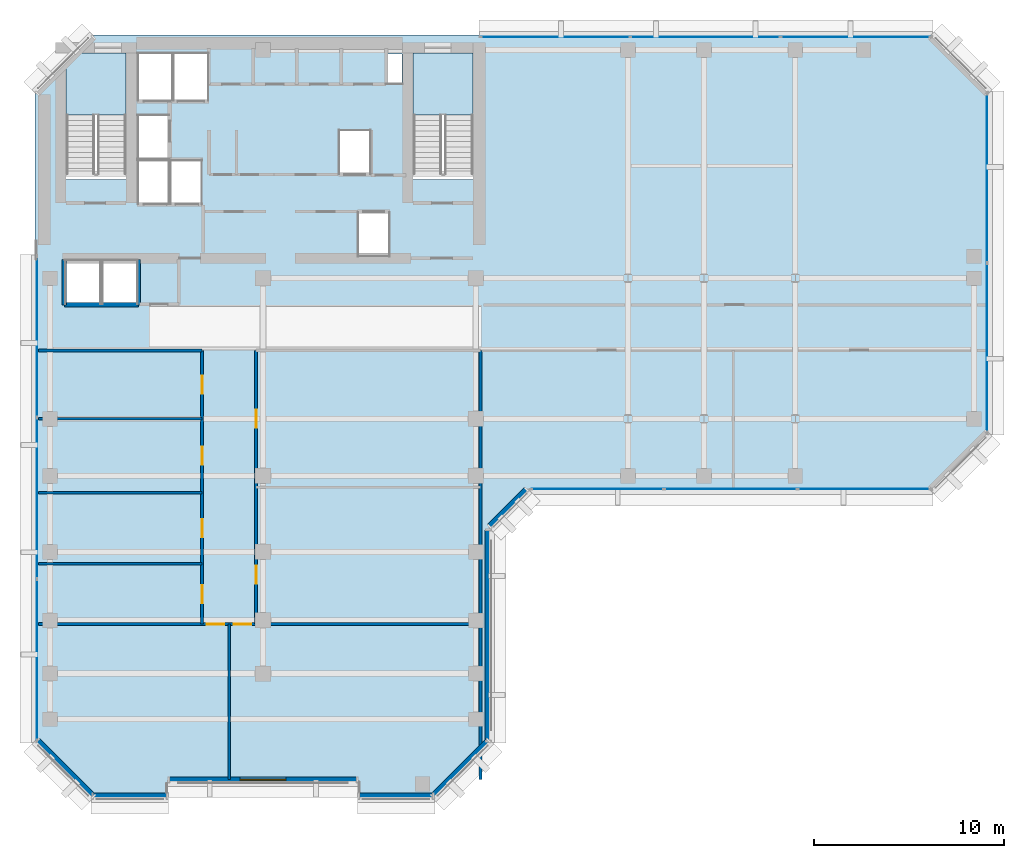
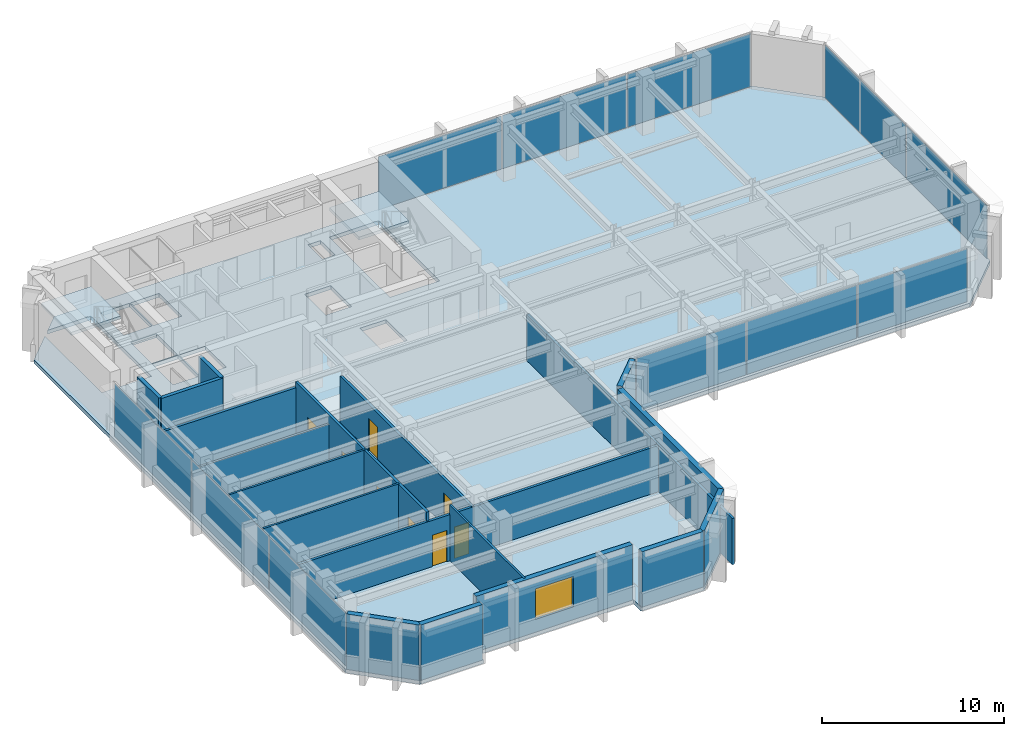
# One storey, part 6 of 12: 19 walls, 11 plates, 8 doors, 3 slabs, 1 window, 9 openings, 6 elements without a shape of their own.
"""IFC4 building model written with IfcOpenShell, lengths in metres."""

from ifc_helpers import new_model, si_unit, direction, frame, frame_2d, origin, origin_2d, place, context, subcontext, project, spatial, polyline, rectangle, outline, extrude, material, layer, layer_set, type_object, element, fill, aggregate, save


model = new_model("IFC4")

# Units and contexts
model_context = context("Model", 3, precision=1e-05, world=origin(), true_north=direction((0.0, 1.0)))
body_context = subcontext(model_context, "Body", "Model", "MODEL_VIEW")
ifc_project = project(units=[si_unit("LENGTHUNIT", "METRE"), si_unit("AREAUNIT", "SQUARE_METRE"), si_unit("VOLUMEUNIT", "CUBIC_METRE"), si_unit("PLANEANGLEUNIT", "RADIAN"), si_unit("MASSUNIT", "GRAM", prefix="KILO")], contexts=[model_context])

# Site, building, storey
site_placement = place(None, origin())
site = spatial("IfcSite", under=ifc_project, at=site_placement, CompositionType="ELEMENT")
building_placement = place(site_placement, origin())
building = spatial("IfcBuilding", under=site, at=building_placement, Name="Kefirva Bronze Tower", CompositionType="ELEMENT")
storey_placement = place(building_placement, frame((0.0, 0.0, 264.330078125)))
storey = spatial("IfcBuildingStorey", under=building, at=storey_placement, Name="L64", CompositionType="ELEMENT", Elevation=264.330078125)

# Stair, slab
ifc_material_1 = material(Name="Concrete C40/50", Category="concrete")
stair_type = type_object("IfcStairType", Name="RC Dogleg Protected Stair 24R", PredefinedType="HALF_TURN_STAIR", material=ifc_material_1)
stair_1_placement = place(storey_placement, origin())
stair_1 = element("IfcStair", 1, at=stair_1_placement, inside=storey, type_object=stair_type, Name="L64 Protected Exit Stair 1", PredefinedType="HALF_TURN_STAIR")
ifc_layer_1 = layer(ifc_material_1, 0.199951171875, Name="Concrete C40/50")
ifc_layer_set_1 = layer_set([ifc_layer_1], Name="Concrete C40/50")
slab_type_1 = type_object("IfcSlabType", Name="RC Stair Landing Slab 200mm", PredefinedType="LANDING", material=ifc_layer_set_1)
slab_1_placement = place(storey_placement, frame((0.0, 0.0, 1.780029296875)))
slab_1 = element("IfcSlab", 2, at=slab_1_placement, type_object=slab_type_1, Name="ST-1 landing 1", PredefinedType="LANDING", context=body_context, shape_type="SweptSolid", body=[
    extrude(outline(polyline([(4.800048828125, 41.780029296875), (4.800048828125, 45.050048828125), (1.64990234375, 45.050048828125), (1.64990234375, 41.780029296875), (4.800048828125, 41.780029296875)])), origin(), (0.0, 0.0, 1.0), 0.199951171875),
])
aggregate(stair_1, [slab_1])

stair_2_placement = place(storey_placement, origin())
stair_2 = element("IfcStair", 3, at=stair_2_placement, inside=storey, type_object=stair_type, Name="L64 Protected Exit Stair 2", PredefinedType="HALF_TURN_STAIR")
slab_2_placement = place(storey_placement, frame((0.0, 0.0, 1.780029296875)))
slab_2 = element("IfcSlab", 4, at=slab_2_placement, type_object=slab_type_1, Name="ST-2 landing 1", PredefinedType="LANDING", context=body_context, shape_type="SweptSolid", body=[
    extrude(outline(polyline([(23.050048828125, 41.780029296875), (23.050048828125, 45.050048828125), (19.89990234375, 45.050048828125), (19.89990234375, 41.780029296875), (23.050048828125, 41.780029296875)])), origin(), (0.0, 0.0, 1.0), 0.199951171875),
])
aggregate(stair_2, [slab_2])

# Slab
ifc_layer_2 = layer(ifc_material_1, 0.25, Name="Concrete C40/50")
ifc_layer_set_2 = layer_set([ifc_layer_2], Name="Concrete C40/50")
slab_type_2 = type_object("IfcSlabType", Name="RC Tower Floor Slab 250mm", PredefinedType="FLOOR", material=ifc_layer_set_2)
slab_3_placement = place(storey_placement, frame((0.0, 0.0, -0.25)))
element("IfcSlab", 5, at=slab_3_placement, inside=storey, type_object=slab_type_2, Name="L64 Structural Floor Slab", PredefinedType="FLOOR", context=body_context, shape_type="SweptSolid", body=[
    extrude(outline(polyline([(0.0, 8.800048828125), (0.0, 43.0), (1.64990234375, 44.64990234375), (1.64990234375, 38.39990234375), (4.800048828125, 38.39990234375), (4.800048828125, 45.050048828125), (2.050048828125, 45.050048828125), (3.0, 46.0), (47.199951171875, 46.0), (50.199951171875, 43.0), (50.199951171875, 25.0), (47.199951171875, 22.0), (26.0, 22.0), (24.0, 20.0), (24.0, 8.800048828125), (21.0, 5.800048828125), (17.0, 5.800048828125), (17.0, 6.64990234375), (7.0, 6.64990234375), (7.0, 5.800048828125), (3.0, 5.800048828125), (0.0, 8.800048828125)]), holes=[polyline([(23.050048828125, 45.050048828125), (19.89990234375, 45.050048828125), (19.89990234375, 38.39990234375), (23.050048828125, 38.39990234375), (23.050048828125, 45.050048828125)]), polyline([(19.320068359375, 43.419921875), (19.320068359375, 45.0), (18.52001953125, 45.0), (18.52001953125, 43.419921875), (19.320068359375, 43.419921875)]), polyline([(18.64990234375, 36.64990234375), (17.0, 36.64990234375), (17.0, 34.35009765625), (18.64990234375, 34.35009765625), (18.64990234375, 36.64990234375)]), polyline([(17.64990234375, 38.679931640625), (17.64990234375, 40.97998046875), (16.0, 40.97998046875), (16.0, 38.679931640625), (17.64990234375, 38.679931640625)]), polyline([(9.1201171875, 42.550048828125), (9.1201171875, 45.050048828125), (7.300048828125, 45.050048828125), (7.300048828125, 42.550048828125), (9.1201171875, 42.550048828125)]), polyline([(8.780029296875, 37.10009765625), (8.780029296875, 39.39990234375), (7.139892578125, 39.39990234375), (7.139892578125, 37.10009765625), (8.780029296875, 37.10009765625)]), polyline([(7.239990234375, 42.550048828125), (7.239990234375, 45.050048828125), (5.419921875, 45.050048828125), (5.419921875, 42.550048828125), (7.239990234375, 42.550048828125)]), polyline([(7.06005859375, 37.10009765625), (7.06005859375, 39.39990234375), (5.419921875, 39.39990234375), (5.419921875, 37.10009765625), (7.06005859375, 37.10009765625)]), polyline([(7.06005859375, 41.780029296875), (5.419921875, 41.780029296875), (5.419921875, 39.47998046875), (7.06005859375, 39.47998046875), (7.06005859375, 41.780029296875)]), polyline([(5.39990234375, 31.85009765625), (5.39990234375, 34.14990234375), (3.550048828125, 34.14990234375), (3.550048828125, 31.85009765625), (5.39990234375, 31.85009765625)]), polyline([(3.449951171875, 34.14990234375), (1.60009765625, 34.14990234375), (1.60009765625, 31.85009765625), (3.449951171875, 31.85009765625), (3.449951171875, 34.14990234375)])]), origin(), (0.0, 0.0, 1.0), 0.25),
])

# Curtain wall, plates
ifc_material_2 = material(Name="Bronze anodised aluminium", Category="aluminium")
ifc_layer_3 = layer(ifc_material_2, 0.179931640625, Name="Bronze anodised aluminium")
ifc_layer_set_3 = layer_set([ifc_layer_3], Name="Bronze anodised aluminium")
curtain_wall_type = type_object("IfcCurtainWallType", Name="Unitised Bronze Ribbon Curtain Wall Zone 3", PredefinedType="USERDEFINED", material=ifc_layer_set_3)
curtain_wall_1_placement = place(storey_placement, origin())
curtain_wall_1 = element("IfcCurtainWall", 6, at=curtain_wall_1_placement, inside=storey, type_object=curtain_wall_type, Name="L64 Curtain Wall 1", ObjectType="UNITISED CURTAIN WALL", PredefinedType="USERDEFINED")
ifc_material_3 = material(Name="Laminated low-E double glazing", Category="glass")
ifc_layer_4 = layer(ifc_material_3, 0.031982421875, Name="Laminated low-E double glazing")
ifc_layer_set_4 = layer_set([ifc_layer_4], Name="Laminated low-E double glazing")
plate_type = type_object("IfcPlateType", Name="Solar-Control Low-E Vision Panel 32mm", PredefinedType="CURTAIN_PANEL", material=ifc_layer_set_4)
plate_1_placement = place(storey_placement, frame((29.5888671875, 22.1201171875, 0.074951171875), z_axis=(0.0, 0.0, 1.0), x_axis=(1.0, 0.0, 0.0)))
plate_1 = element("IfcPlate", 7, at=plate_1_placement, type_object=plate_type, Name="CW-03 panel 1.1", PredefinedType="CURTAIN_PANEL", context=body_context, shape_type="SweptSolid", body=[
    extrude(rectangle(XDim=6.91748046875, YDim=0.031982421875, at=origin_2d()), origin(), (0.0, 0.0, 1.0), 3.56005859375),
])
plate_2_placement = place(storey_placement, frame((36.60009765625, 22.1201171875, 0.074951171875), z_axis=(0.0, 0.0, 1.0), x_axis=(1.0, 0.0, 0.0)))
plate_2 = element("IfcPlate", 8, at=plate_2_placement, type_object=plate_type, Name="CW-03 panel 2.1", PredefinedType="CURTAIN_PANEL", context=body_context, shape_type="SweptSolid", body=[
    extrude(rectangle(XDim=6.955078125, YDim=0.031982421875, at=origin_2d()), origin(), (0.0, 0.0, 1.0), 3.56005859375),
])
plate_3_placement = place(storey_placement, frame((43.611328125, 22.1201171875, 0.074951171875), z_axis=(0.0, 0.0, 1.0), x_axis=(1.0, 0.0, 0.0)))
plate_3 = element("IfcPlate", 9, at=plate_3_placement, type_object=plate_type, Name="CW-03 panel 3.1", PredefinedType="CURTAIN_PANEL", context=body_context, shape_type="SweptSolid", body=[
    extrude(rectangle(XDim=6.91748046875, YDim=0.031982421875, at=origin_2d()), origin(), (0.0, 0.0, 1.0), 3.56005859375),
])
aggregate(curtain_wall_1, [plate_1, plate_2, plate_3])

curtain_wall_2_placement = place(storey_placement, origin())
curtain_wall_2 = element("IfcCurtainWall", 10, at=curtain_wall_2_placement, inside=storey, type_object=curtain_wall_type, Name="L64 Curtain Wall 2", ObjectType="UNITISED CURTAIN WALL", PredefinedType="USERDEFINED")
plate_4_placement = place(storey_placement, frame((50.080078125, 29.546142578125, 0.074951171875), z_axis=(0.0, 0.0, 1.0), x_axis=(0.0, 1.0, 0.0)))
plate_4 = element("IfcPlate", 11, at=plate_4_placement, type_object=plate_type, Name="CW-03 panel 1.1", PredefinedType="CURTAIN_PANEL", context=body_context, shape_type="SweptSolid", body=[
    extrude(rectangle(XDim=8.83251953125, YDim=0.031982421875, at=origin_2d()), origin(), (0.0, 0.0, 1.0), 3.56005859375),
])
plate_5_placement = place(storey_placement, frame((50.080078125, 38.453857421875, 0.074951171875), z_axis=(0.0, 0.0, 1.0), x_axis=(0.0, 1.0, 0.0)))
plate_5 = element("IfcPlate", 12, at=plate_5_placement, type_object=plate_type, Name="CW-03 panel 2.1", PredefinedType="CURTAIN_PANEL", context=body_context, shape_type="SweptSolid", body=[
    extrude(rectangle(XDim=8.83251953125, YDim=0.031982421875, at=origin_2d()), origin(), (0.0, 0.0, 1.0), 3.56005859375),
])
aggregate(curtain_wall_2, [plate_4, plate_5])

curtain_wall_3_placement = place(storey_placement, origin())
curtain_wall_3 = element("IfcCurtainWall", 13, at=curtain_wall_3_placement, inside=storey, type_object=curtain_wall_type, Name="L64 Curtain Wall 3", ObjectType="UNITISED CURTAIN WALL", PredefinedType="USERDEFINED")
plate_6_placement = place(storey_placement, frame((43.169677734375, 45.8798828125, 0.074951171875), z_axis=(0.0, 0.0, 1.0), x_axis=(-1.0, 0.0, 0.0)))
plate_6 = element("IfcPlate", 14, at=plate_6_placement, type_object=plate_type, Name="CW-03 panel 1.1", PredefinedType="CURTAIN_PANEL", context=body_context, shape_type="SweptSolid", body=[
    extrude(rectangle(XDim=7.80078125, YDim=0.031982421875, at=origin_2d()), origin(), (0.0, 0.0, 1.0), 3.56005859375),
])
plate_7_placement = place(storey_placement, frame((35.27490234375, 45.8798828125, 0.074951171875), z_axis=(0.0, 0.0, 1.0), x_axis=(-1.0, 0.0, 0.0)))
plate_7 = element("IfcPlate", 15, at=plate_7_placement, type_object=plate_type, Name="CW-03 panel 2.1", PredefinedType="CURTAIN_PANEL", context=body_context, shape_type="SweptSolid", body=[
    extrude(rectangle(XDim=7.83837890625, YDim=0.031982421875, at=origin_2d()), origin(), (0.0, 0.0, 1.0), 3.56005859375),
])
plate_8_placement = place(storey_placement, frame((27.38037109375, 45.8798828125, 0.074951171875), z_axis=(0.0, 0.0, 1.0), x_axis=(-1.0, 0.0, 0.0)))
plate_8 = element("IfcPlate", 16, at=plate_8_placement, type_object=plate_type, Name="CW-03 panel 3.1", PredefinedType="CURTAIN_PANEL", context=body_context, shape_type="SweptSolid", body=[
    extrude(rectangle(XDim=7.80078125, YDim=0.031982421875, at=origin_2d()), origin(), (0.0, 0.0, 1.0), 3.56005859375),
])
aggregate(curtain_wall_3, [plate_6, plate_7, plate_8])

curtain_wall_4_placement = place(storey_placement, origin())
curtain_wall_4 = element("IfcCurtainWall", 17, at=curtain_wall_4_placement, inside=storey, type_object=curtain_wall_type, Name="L64 Curtain Wall 4", ObjectType="UNITISED CURTAIN WALL", PredefinedType="USERDEFINED")
plate_9_placement = place(storey_placement, frame((0.1201171875, 30.11962890625, 0.074951171875), z_axis=(0.0, 0.0, 1.0), x_axis=(0.0, -1.0, 0.0)))
plate_9 = element("IfcPlate", 18, at=plate_9_placement, type_object=plate_type, Name="CW-03 panel 1.1", PredefinedType="CURTAIN_PANEL", context=body_context, shape_type="SweptSolid", body=[
    extrude(rectangle(XDim=8.40087890625, YDim=0.031982421875, at=origin_2d()), origin(), (0.0, 0.0, 1.0), 3.56005859375),
])
plate_10_placement = place(storey_placement, frame((0.1201171875, 21.625, 0.074951171875), z_axis=(0.0, 0.0, 1.0), x_axis=(0.0, -1.0, 0.0)))
plate_10 = element("IfcPlate", 19, at=plate_10_placement, type_object=plate_type, Name="CW-03 panel 2.1", PredefinedType="CURTAIN_PANEL", context=body_context, shape_type="SweptSolid", body=[
    extrude(rectangle(XDim=8.438232421875, YDim=0.031982421875, at=origin_2d()), origin(), (0.0, 0.0, 1.0), 3.56005859375),
])
plate_11_placement = place(storey_placement, frame((0.1201171875, 13.13037109375, 0.074951171875), z_axis=(0.0, 0.0, 1.0), x_axis=(0.0, -1.0, 0.0)))
plate_11 = element("IfcPlate", 20, at=plate_11_placement, type_object=plate_type, Name="CW-03 panel 3.1", PredefinedType="CURTAIN_PANEL", context=body_context, shape_type="SweptSolid", body=[
    extrude(rectangle(XDim=8.40087890625, YDim=0.031982421875, at=origin_2d()), origin(), (0.0, 0.0, 1.0), 3.56005859375),
])
aggregate(curtain_wall_4, [plate_9, plate_10, plate_11])

# Walls
ifc_material_4 = material(Name="Gypsum acoustic partition")
ifc_layer_5 = layer(ifc_material_4, 0.1298828125, Name="Gypsum acoustic partition")
ifc_layer_set_5 = layer_set([ifc_layer_5], Name="Gypsum acoustic partition")
wall_type_1 = type_object("IfcWallType", Name="Acoustic Office Partition 130mm", PredefinedType="PARTITIONING", material=ifc_layer_set_5)
wall_1_placement = place(storey_placement, frame((10.219970703125, 6.840087890625, 0.0), z_axis=(0.0, 0.0, 1.0), x_axis=(0.0, 1.0, 0.0)))
element("IfcWall", 21, at=wall_1_placement, inside=storey, type_object=wall_type_1, Name="L64 Partition W-L64-CAPDV", PredefinedType="PARTITIONING", context=body_context, shape_type="SweptSolid", body=[
    extrude(rectangle(XDim=8.159912109375, YDim=0.1298828125, at=frame_2d((4.080078125, 0.0))), origin(), (0.0, 0.0, 1.0), 3.7099609375),
])
for number, where, z_axis, x_axis, name in (
    (22, (0.18994140625, 18.16796875, 0.0), (0.0, 0.0, 1.0), (1.0, 0.0, 0.0), "L64 Partition W-L64-SWD1"),
    (23, (0.18994140625, 21.912109375, 0.0), (0.0, 0.0, 1.0), (1.0, 0.0, 0.0), "L64 Partition W-L64-SWD2"),
):
    element("IfcWall", number, at=place(storey_placement, frame(where, z_axis=z_axis, x_axis=x_axis)), inside=storey, type_object=wall_type_1, Name=name, PredefinedType="PARTITIONING", context=body_context, shape_type="SweptSolid", body=[
        extrude(rectangle(XDim=8.610107421875, YDim=0.1298828125, at=frame_2d((4.30517578125, 0.0))), origin(), (0.0, 0.0, 1.0), 3.7099609375),
    ])
wall_2_placement = place(storey_placement, frame((0.18994140625, 25.800048828125, 0.0), z_axis=(0.0, 0.0, 1.0), x_axis=(1.0, 0.0, 0.0)))
element("IfcWall", 24, at=wall_2_placement, inside=storey, type_object=wall_type_1, Name="L64 Partition W-L64-SWD3", PredefinedType="PARTITIONING", context=body_context, shape_type="SweptSolid", body=[
    extrude(rectangle(XDim=8.610107421875, YDim=0.1298828125, at=frame_2d((4.30517578125, 0.0))), origin(), (0.0, 0.0, 1.0), 3.094970703125),
])
ifc_material_5 = material(Name="Gypsum fireboard shaftwall")
ifc_layer_6 = layer(ifc_material_5, 0.219970703125, Name="Gypsum fireboard shaftwall")
ifc_layer_set_6 = layer_set([ifc_layer_6], Name="Gypsum fireboard shaftwall")
wall_type_2 = type_object("IfcWallType", Name="Fire-Rated Shaft Enclosure Wall 220mm", PredefinedType="PARTITIONING", material=ifc_layer_set_6)
wall_3_placement = place(storey_placement, frame((1.550048828125, 31.800048828125, 0.0), z_axis=(0.0, 0.0, 1.0), x_axis=(1.0, 0.0, 0.0)))
element("IfcWall", 25, at=wall_3_placement, inside=storey, type_object=wall_type_2, Name="L64 Partition W-L64-OBS", PredefinedType="PARTITIONING", context=body_context, shape_type="SweptSolid", body=[
    extrude(rectangle(XDim=3.89990234375, YDim=0.219970703125, at=frame_2d((1.949951171875, 0.0))), origin(), (0.0, 0.0, 1.0), 3.7099609375),
])
for number, where, z_axis, x_axis, name in (
    (26, (1.550048828125, 31.800048828125, 0.0), (0.0, 0.0, 1.0), (0.0, 1.0, 0.0), "L64 Partition W-L64-OBW"),
    (27, (5.449951171875, 31.800048828125, 0.0), (0.0, 0.0, 1.0), (0.0, 1.0, 0.0), "L64 Partition W-L64-OBE"),
):
    element("IfcWall", number, at=place(storey_placement, frame(where, z_axis=z_axis, x_axis=x_axis)), inside=storey, type_object=wall_type_2, Name=name, PredefinedType="PARTITIONING", context=body_context, shape_type="SweptSolid", body=[
        extrude(rectangle(XDim=2.3798828125, YDim=0.219970703125, at=frame_2d((1.18994140625, 0.0))), origin(), (0.0, 0.0, 1.0), 3.7099609375),
    ])
ifc_material_6 = material(Name="Precast concrete C40/50", Category="concrete")
ifc_layer_7 = layer(ifc_material_6, 0.320068359375, Name="Precast concrete C40/50")
ifc_layer_set_7 = layer_set([ifc_layer_7], Name="Precast concrete C40/50")
wall_type_3 = type_object("IfcWallType", Name="Precast Insulated Exterior Wall 320mm", PredefinedType="SOLIDWALL", material=ifc_layer_set_7)
wall_4_placement = place(storey_placement, frame((3.054931640625, 5.9599609375, 0.0), z_axis=(0.0, 0.0, 1.0), x_axis=(1.0, 0.0, 0.0)))
element("IfcWall", 28, at=wall_4_placement, inside=storey, type_object=wall_type_3, Name="L64 Exterior Facade Wall 1", PredefinedType="SOLIDWALL", context=body_context, shape_type="SweptSolid", body=[
    extrude(rectangle(XDim=3.89013671875, YDim=0.320068359375, at=frame_2d((1.945068359375, 0.0))), origin(), (0.0, 0.0, 1.0), 3.7099609375),
])

# Wall, opening, window
wall_5_placement = place(storey_placement, frame((7.054931640625, 6.81005859375, 0.0), z_axis=(0.0, 0.0, 1.0), x_axis=(1.0, 0.0, 0.0)))
wall_5 = element("IfcWall", 29, at=wall_5_placement, inside=storey, type_object=wall_type_3, Name="L64 Exterior Facade Wall 2", PredefinedType="SOLIDWALL", context=body_context, shape_type="SweptSolid", body=[
    extrude(rectangle(XDim=9.89013671875, YDim=0.320068359375, at=frame_2d((4.945068359375, 0.0))), origin(), (0.0, 0.0, 1.0), 3.7099609375),
])
opening_1_placement = place(wall_5_placement, frame((3.7451171875, 0.0, 0.85009765625)))
opening_1 = element("IfcOpeningElement", 30, at=opening_1_placement, cuts=wall_5, Name="Opening WN-01", PredefinedType="OPENING", context=body_context, shape_type="SweptSolid", body=[
    extrude(rectangle(XDim=2.39990234375, YDim=2.050048828125, at=frame_2d((1.199951171875, 1.02490234375))), frame((0.0, 0.169921875, 0.0), z_axis=(0.0, -1.0, 0.0), x_axis=(1.0, 0.0, 0.0)), (0.0, 0.0, 1.0), 0.340087890625),
])
window_type = type_object("IfcWindowType", Name="Streamline Ribbon Window 2400x2050", PartitioningType="SINGLE_PANEL", PredefinedType="WINDOW", material=ifc_material_3)
window_placement = place(opening_1_placement, origin())
window = element("IfcWindow", 31, at=window_placement, inside=storey, type_object=window_type, Name="L64 Ribbon Window 2", OverallHeight=2.050048828125, OverallWidth=2.39990234375, PartitioningType="SINGLE_PANEL", PredefinedType="WINDOW", context=body_context, shape_type="SweptSolid", body=[
    extrude(rectangle(XDim=2.39990234375, YDim=2.050048828125, at=frame_2d((1.199951171875, 1.02490234375))), frame((0.0, 0.030029296875, 0.0), z_axis=(0.0, -1.0, 0.0), x_axis=(1.0, 0.0, 0.0)), (0.0, 0.0, 1.0), 0.06005859375),
])
fill(opening_1, window)

# Walls
wall_6_placement = place(storey_placement, frame((17.054931640625, 5.9599609375, 0.0), z_axis=(0.0, 0.0, 1.0), x_axis=(1.0, 0.0, 0.0)))
element("IfcWall", 32, at=wall_6_placement, inside=storey, type_object=wall_type_3, Name="L64 Exterior Facade Wall 3", PredefinedType="SOLIDWALL", context=body_context, shape_type="SweptSolid", body=[
    extrude(rectangle(XDim=3.89013671875, YDim=0.320068359375, at=frame_2d((1.945068359375, 0.0))), origin(), (0.0, 0.0, 1.0), 3.7099609375),
])
wall_7_placement = place(storey_placement, frame((20.92578125, 5.951904296875, 0.0), z_axis=(0.0, 0.0, 1.0), x_axis=(0.707077242712, 0.707136318428, 0.0)))
element("IfcWall", 33, at=wall_7_placement, inside=storey, type_object=wall_type_3, Name="L64 Exterior Facade Wall 4", PredefinedType="SOLIDWALL", context=body_context, shape_type="SweptSolid", body=[
    extrude(rectangle(XDim=4.132568359375, YDim=0.320068359375, at=frame_2d((2.06640625, 0.0))), origin(), (0.0, 0.0, 1.0), 3.7099609375),
])
wall_8_placement = place(storey_placement, frame((23.840087890625, 8.85498046875, 0.0), z_axis=(0.0, 0.0, 1.0), x_axis=(0.0, 1.0, 0.0)))
element("IfcWall", 34, at=wall_8_placement, inside=storey, type_object=wall_type_3, Name="L64 Exterior Facade Wall 5", PredefinedType="SOLIDWALL", context=body_context, shape_type="SweptSolid", body=[
    extrude(rectangle(XDim=11.090087890625, YDim=0.320068359375, at=frame_2d((5.544921875, 0.0))), origin(), (0.0, 0.0, 1.0), 3.7099609375),
])
wall_9_placement = place(storey_placement, frame((23.92578125, 20.152099609375, 0.0), z_axis=(0.0, 0.0, 1.0), x_axis=(0.707106781187, 0.707106781187, 0.0)))
element("IfcWall", 35, at=wall_9_placement, inside=storey, type_object=wall_type_3, Name="L64 Exterior Facade Wall 6", PredefinedType="SOLIDWALL", context=body_context, shape_type="SweptSolid", body=[
    extrude(rectangle(XDim=2.71826171875, YDim=0.320068359375, at=frame_2d((1.359130859375, 0.0))), origin(), (0.0, 0.0, 1.0), 3.7099609375),
])
wall_10_placement = place(storey_placement, frame((0.152099609375, 8.874267578125, 0.0), z_axis=(0.0, 0.0, 1.0), x_axis=(0.707077242712, -0.707136318428, 0.0)))
element("IfcWall", 36, at=wall_10_placement, inside=storey, type_object=wall_type_3, Name="L64 Exterior Facade Wall 10", PredefinedType="SOLIDWALL", context=body_context, shape_type="SweptSolid", body=[
    extrude(rectangle(XDim=4.132568359375, YDim=0.320068359375, at=frame_2d((2.06640625, 0.0))), origin(), (0.0, 0.0, 1.0), 3.7099609375),
])

# Wall, openings, doors
ifc_layer_8 = layer(ifc_material_4, 0.159912109375, Name="Gypsum acoustic partition")
ifc_layer_set_8 = layer_set([ifc_layer_8], Name="Gypsum acoustic partition")
wall_type_4 = type_object("IfcWallType", Name="Protected Corridor Partition 160mm", PredefinedType="PARTITIONING", material=ifc_layer_set_8)
wall_11_placement = place(storey_placement, frame((8.800048828125, 15.0, 0.0), z_axis=(0.0, 0.0, 1.0), x_axis=(0.0, 1.0, 0.0)))
wall_11 = element("IfcWall", 37, at=wall_11_placement, inside=storey, type_object=wall_type_4, Name="L64 Partition W-L64-SWCORW", PredefinedType="PARTITIONING", context=body_context, shape_type="SweptSolid", body=[
    extrude(rectangle(XDim=14.39990234375, YDim=0.159912109375, at=frame_2d((7.199951171875, 0.0))), origin(), (0.0, 0.0, 1.0), 3.7099609375),
])
opening_2_placement = place(wall_11_placement, frame((2.058837890625, 0.0, 0.0), z_axis=(0.0, 0.0, 1.0), x_axis=(-1.0, 0.0, 0.0)))
opening_2 = element("IfcOpeningElement", 38, at=opening_2_placement, cuts=wall_11, Name="Opening L64-D-SW1", PredefinedType="OPENING", context=body_context, shape_type="SweptSolid", body=[
    extrude(rectangle(XDim=0.949951171875, YDim=2.14990234375, at=frame_2d((0.47509765625, 1.074951171875))), frame((0.0, 0.08984375, 0.0), z_axis=(0.0, -1.0, 0.0), x_axis=(1.0, 0.0, 0.0)), (0.0, 0.0, 1.0), 0.179931640625),
])
opening_3_placement = place(wall_11_placement, frame((5.514892578125, 0.0, 0.0), z_axis=(0.0, 0.0, 1.0), x_axis=(-1.0, 0.0, 0.0)))
opening_3 = element("IfcOpeningElement", 39, at=opening_3_placement, cuts=wall_11, Name="Opening L64-D-SW2", PredefinedType="OPENING", context=body_context, shape_type="SweptSolid", body=[
    extrude(rectangle(XDim=0.949951171875, YDim=2.14990234375, at=frame_2d((0.47509765625, 1.074951171875))), frame((0.0, 0.08984375, 0.0), z_axis=(0.0, -1.0, 0.0), x_axis=(1.0, 0.0, 0.0)), (0.0, 0.0, 1.0), 0.179931640625),
])
opening_4_placement = place(wall_11_placement, frame((9.3310546875, 0.0, 0.0), z_axis=(0.0, 0.0, 1.0), x_axis=(-1.0, 0.0, 0.0)))
opening_4 = element("IfcOpeningElement", 40, at=opening_4_placement, cuts=wall_11, Name="Opening L64-D-SW3", PredefinedType="OPENING", context=body_context, shape_type="SweptSolid", body=[
    extrude(rectangle(XDim=0.949951171875, YDim=2.14990234375, at=frame_2d((0.47509765625, 1.074951171875))), frame((0.0, 0.08984375, 0.0), z_axis=(0.0, -1.0, 0.0), x_axis=(1.0, 0.0, 0.0)), (0.0, 0.0, 1.0), 0.179931640625),
])
opening_5_placement = place(wall_11_placement, frame((13.074951171875, 0.0, 0.0), z_axis=(0.0, 0.0, 1.0), x_axis=(-1.0, 0.0, 0.0)))
opening_5 = element("IfcOpeningElement", 41, at=opening_5_placement, cuts=wall_11, Name="Opening L64-D-SW4", PredefinedType="OPENING", context=body_context, shape_type="SweptSolid", body=[
    extrude(rectangle(XDim=0.949951171875, YDim=2.14990234375, at=frame_2d((0.47509765625, 1.074951171875))), frame((0.0, 0.08984375, 0.0), z_axis=(0.0, -1.0, 0.0), x_axis=(1.0, 0.0, 0.0)), (0.0, 0.0, 1.0), 0.179931640625),
])
ifc_material_7 = material(Name="Acoustic hardwood oak", Category="wood")
door_type_1 = type_object("IfcDoorType", Name="Office & Meeting Room Door 950x2150", OperationType="NOTDEFINED", PredefinedType="DOOR", material=ifc_material_7)
door_1_placement = place(opening_2_placement, origin())
door_1 = element("IfcDoor", 42, at=door_1_placement, inside=storey, type_object=door_type_1, Name="Door L64-D-SW1", OperationType="SINGLE_SWING_LEFT", OverallHeight=2.14990234375, OverallWidth=0.949951171875, PredefinedType="DOOR", context=body_context, shape_type="SweptSolid", body=[
    extrude(rectangle(XDim=0.949951171875, YDim=2.14990234375, at=frame_2d((0.47509765625, 1.074951171875))), frame((0.0, 0.02490234375, 0.0), z_axis=(0.0, -1.0, 0.0), x_axis=(1.0, 0.0, 0.0)), (0.0, 0.0, 1.0), 0.050048828125),
])
fill(opening_2, door_1)
door_2_placement = place(opening_3_placement, origin())
door_2 = element("IfcDoor", 43, at=door_2_placement, inside=storey, type_object=door_type_1, Name="Door L64-D-SW2", OperationType="SINGLE_SWING_RIGHT", OverallHeight=2.14990234375, OverallWidth=0.949951171875, PredefinedType="DOOR", context=body_context, shape_type="SweptSolid", body=[
    extrude(rectangle(XDim=0.949951171875, YDim=2.14990234375, at=frame_2d((0.47509765625, 1.074951171875))), frame((0.0, 0.02490234375, 0.0), z_axis=(0.0, -1.0, 0.0), x_axis=(1.0, 0.0, 0.0)), (0.0, 0.0, 1.0), 0.050048828125),
])
fill(opening_3, door_2)
door_3_placement = place(opening_4_placement, origin())
door_3 = element("IfcDoor", 44, at=door_3_placement, inside=storey, type_object=door_type_1, Name="Door L64-D-SW3", OperationType="SINGLE_SWING_LEFT", OverallHeight=2.14990234375, OverallWidth=0.949951171875, PredefinedType="DOOR", context=body_context, shape_type="SweptSolid", body=[
    extrude(rectangle(XDim=0.949951171875, YDim=2.14990234375, at=frame_2d((0.47509765625, 1.074951171875))), frame((0.0, 0.02490234375, 0.0), z_axis=(0.0, -1.0, 0.0), x_axis=(1.0, 0.0, 0.0)), (0.0, 0.0, 1.0), 0.050048828125),
])
fill(opening_4, door_3)
door_4_placement = place(opening_5_placement, origin())
door_4 = element("IfcDoor", 45, at=door_4_placement, inside=storey, type_object=door_type_1, Name="Door L64-D-SW4", OperationType="SINGLE_SWING_RIGHT", OverallHeight=2.14990234375, OverallWidth=0.949951171875, PredefinedType="DOOR", context=body_context, shape_type="SweptSolid", body=[
    extrude(rectangle(XDim=0.949951171875, YDim=2.14990234375, at=frame_2d((0.47509765625, 1.074951171875))), frame((0.0, 0.02490234375, 0.0), z_axis=(0.0, -1.0, 0.0), x_axis=(1.0, 0.0, 0.0)), (0.0, 0.0, 1.0), 0.050048828125),
])
fill(opening_5, door_4)

wall_12_placement = place(storey_placement, frame((11.639892578125, 15.0, 0.0), z_axis=(0.0, 0.0, 1.0), x_axis=(0.0, 1.0, 0.0)))
wall_12 = element("IfcWall", 46, at=wall_12_placement, inside=storey, type_object=wall_type_4, Name="L64 Partition W-L64-SECORE", PredefinedType="PARTITIONING", context=body_context, shape_type="SweptSolid", body=[
    extrude(rectangle(XDim=14.39990234375, YDim=0.159912109375, at=frame_2d((7.199951171875, 0.0))), origin(), (0.0, 0.0, 1.0), 3.094970703125),
])
opening_6_placement = place(wall_12_placement, frame((2.125, 0.0, 0.0)))
opening_6 = element("IfcOpeningElement", 47, at=opening_6_placement, cuts=wall_12, Name="Opening L64-D-SE1", PredefinedType="OPENING", context=body_context, shape_type="SweptSolid", body=[
    extrude(rectangle(XDim=0.949951171875, YDim=2.14990234375, at=frame_2d((0.47509765625, 1.074951171875))), frame((0.0, 0.08984375, 0.0), z_axis=(0.0, -1.0, 0.0), x_axis=(1.0, 0.0, 0.0)), (0.0, 0.0, 1.0), 0.179931640625),
])
opening_7_placement = place(wall_12_placement, frame((10.324951171875, 0.0, 0.0)))
opening_7 = element("IfcOpeningElement", 48, at=opening_7_placement, cuts=wall_12, Name="Opening L64-D-SE2", PredefinedType="OPENING", context=body_context, shape_type="SweptSolid", body=[
    extrude(rectangle(XDim=0.949951171875, YDim=2.14990234375, at=frame_2d((0.47509765625, 1.074951171875))), frame((0.0, 0.08984375, 0.0), z_axis=(0.0, -1.0, 0.0), x_axis=(1.0, 0.0, 0.0)), (0.0, 0.0, 1.0), 0.179931640625),
])
door_5_placement = place(opening_6_placement, origin())
door_5 = element("IfcDoor", 49, at=door_5_placement, inside=storey, type_object=door_type_1, Name="Door L64-D-SE1", OperationType="SINGLE_SWING_LEFT", OverallHeight=2.14990234375, OverallWidth=0.949951171875, PredefinedType="DOOR", context=body_context, shape_type="SweptSolid", body=[
    extrude(rectangle(XDim=0.949951171875, YDim=2.14990234375, at=frame_2d((0.47509765625, 1.074951171875))), frame((0.0, 0.02490234375, 0.0), z_axis=(0.0, -1.0, 0.0), x_axis=(1.0, 0.0, 0.0)), (0.0, 0.0, 1.0), 0.050048828125),
])
fill(opening_6, door_5)
door_6_placement = place(opening_7_placement, origin())
door_6 = element("IfcDoor", 50, at=door_6_placement, inside=storey, type_object=door_type_1, Name="Door L64-D-SE2", OperationType="SINGLE_SWING_RIGHT", OverallHeight=2.14990234375, OverallWidth=0.949951171875, PredefinedType="DOOR", context=body_context, shape_type="SweptSolid", body=[
    extrude(rectangle(XDim=0.949951171875, YDim=2.14990234375, at=frame_2d((0.47509765625, 1.074951171875))), frame((0.0, 0.02490234375, 0.0), z_axis=(0.0, -1.0, 0.0), x_axis=(1.0, 0.0, 0.0)), (0.0, 0.0, 1.0), 0.050048828125),
])
fill(opening_7, door_6)

wall_13_placement = place(storey_placement, frame((0.18994140625, 15.0, 0.0), z_axis=(0.0, 0.0, 1.0), x_axis=(1.0, 0.0, 0.0)))
wall_13 = element("IfcWall", 51, at=wall_13_placement, inside=storey, type_object=wall_type_4, Name="L64 Partition W-L64-SBEND", PredefinedType="PARTITIONING", context=body_context, shape_type="SweptSolid", body=[
    extrude(rectangle(XDim=23.260009765625, YDim=0.159912109375, at=frame_2d((11.6298828125, 0.0))), origin(), (0.0, 0.0, 1.0), 3.094970703125),
])
opening_8_placement = place(wall_13_placement, frame((8.860107421875, 0.0, 0.0)))
opening_8 = element("IfcOpeningElement", 52, at=opening_8_placement, cuts=wall_13, Name="Opening L64-D-SEND1", PredefinedType="OPENING", context=body_context, shape_type="SweptSolid", body=[
    extrude(rectangle(XDim=0.919921875, YDim=2.10009765625, at=frame_2d((0.4599609375, 1.050048828125))), frame((0.0, 0.08984375, 0.0), z_axis=(0.0, -1.0, 0.0), x_axis=(1.0, 0.0, 0.0)), (0.0, 0.0, 1.0), 0.179931640625),
])
opening_9_placement = place(wall_13_placement, frame((10.280029296875, 0.0, 0.0)))
opening_9 = element("IfcOpeningElement", 53, at=opening_9_placement, cuts=wall_13, Name="Opening L64-D-SEND2", PredefinedType="OPENING", context=body_context, shape_type="SweptSolid", body=[
    extrude(rectangle(XDim=0.919921875, YDim=2.10009765625, at=frame_2d((0.4599609375, 1.050048828125))), frame((0.0, 0.08984375, 0.0), z_axis=(0.0, -1.0, 0.0), x_axis=(1.0, 0.0, 0.0)), (0.0, 0.0, 1.0), 0.179931640625),
])
ifc_material_8 = material(Name="Moisture-resistant timber", Category="wood")
door_type_2 = type_object("IfcDoorType", Name="Accessible Sanitary & WC Door 920x2100", OperationType="NOTDEFINED", PredefinedType="DOOR", material=ifc_material_8)
door_7_placement = place(opening_8_placement, origin())
door_7 = element("IfcDoor", 54, at=door_7_placement, inside=storey, type_object=door_type_2, Name="Door L64-D-SEND1", OperationType="SINGLE_SWING_LEFT", OverallHeight=2.10009765625, OverallWidth=0.919921875, PredefinedType="DOOR", context=body_context, shape_type="SweptSolid", body=[
    extrude(rectangle(XDim=0.919921875, YDim=2.10009765625, at=frame_2d((0.4599609375, 1.050048828125))), frame((0.0, 0.02490234375, 0.0), z_axis=(0.0, -1.0, 0.0), x_axis=(1.0, 0.0, 0.0)), (0.0, 0.0, 1.0), 0.050048828125),
])
fill(opening_8, door_7)
door_8_placement = place(opening_9_placement, origin())
door_8 = element("IfcDoor", 55, at=door_8_placement, inside=storey, type_object=door_type_2, Name="Door L64-D-SEND2", OperationType="SINGLE_SWING_RIGHT", OverallHeight=2.10009765625, OverallWidth=0.919921875, PredefinedType="DOOR", context=body_context, shape_type="SweptSolid", body=[
    extrude(rectangle(XDim=0.919921875, YDim=2.10009765625, at=frame_2d((0.4599609375, 1.050048828125))), frame((0.0, 0.02490234375, 0.0), z_axis=(0.0, -1.0, 0.0), x_axis=(1.0, 0.0, 0.0)), (0.0, 0.0, 1.0), 0.050048828125),
])
fill(opening_9, door_8)

# Walls
wall_14_placement = place(storey_placement, frame((0.18994140625, 29.39990234375, 0.0), z_axis=(0.0, 0.0, 1.0), x_axis=(1.0, 0.0, 0.0)))
element("IfcWall", 56, at=wall_14_placement, inside=storey, type_object=wall_type_4, Name="L64 Partition W-L64-NWT", PredefinedType="PARTITIONING", context=body_context, shape_type="SweptSolid", body=[
    extrude(rectangle(XDim=8.610107421875, YDim=0.159912109375, at=frame_2d((4.30517578125, 0.0))), origin(), (0.0, 0.0, 1.0), 3.364990234375),
])
wall_15_placement = place(storey_placement, frame((23.449951171875, 6.840087890625, 0.0), z_axis=(0.0, 0.0, 1.0), x_axis=(0.0, 1.0, 0.0)))
element("IfcWall", 57, at=wall_15_placement, inside=storey, type_object=wall_type_4, Name="L64 Partition W-L64-SWEAST", PredefinedType="PARTITIONING", context=body_context, shape_type="SweptSolid", body=[
    extrude(rectangle(XDim=22.559814453125, YDim=0.159912109375, at=frame_2d((11.27978515625, 0.0))), origin(), (0.0, 0.0, 1.0), 3.094970703125),
])

save(model, "model.ifc")
